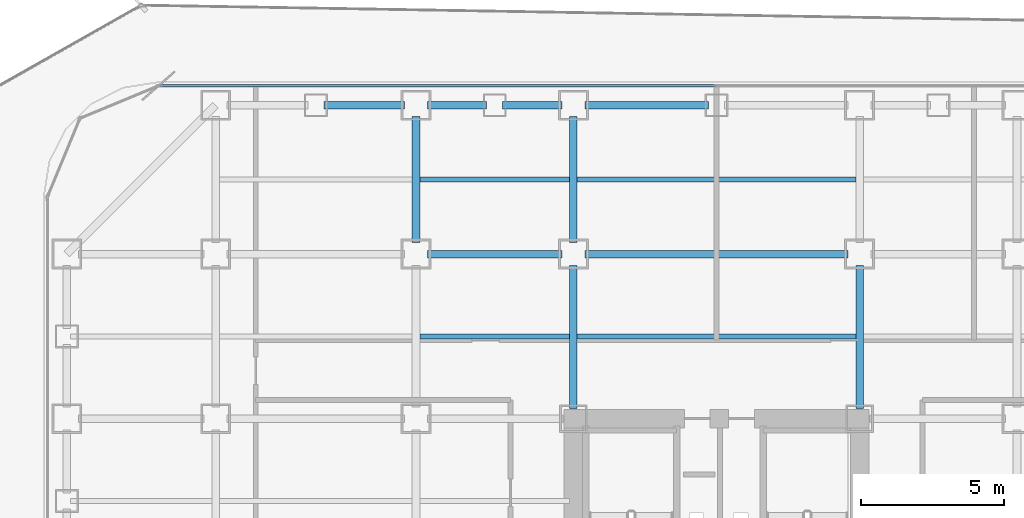
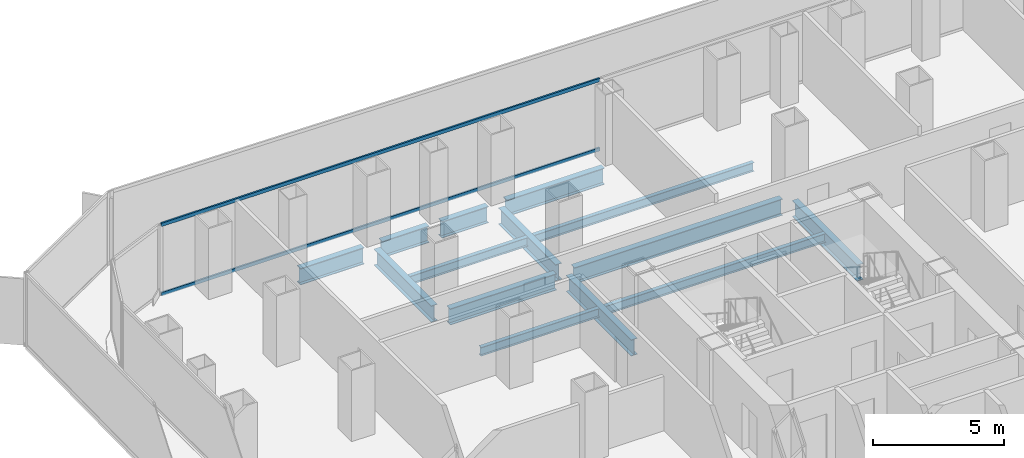
# One storey, part 12 of 21: 14 beams, 2 members, 1 element without a shape of its own.
"""IFC4 building model written with IfcOpenShell, lengths in metres."""

from ifc_helpers import new_model, si_unit, direction, frame, origin, origin_2d, place, context, subcontext, project, spatial, hollow_rectangle, i_section, extrude, source, transform, mapped, material, layer, layer_set, material_profile, profile_set, type_object, element, aggregate, save


model = new_model("IFC4")

# Units and contexts
model_context = context("Model", 3, precision=1e-05, world=origin(), true_north=direction((0.0, 1.0)))
body_context = subcontext(model_context, "Body", "Model", "MODEL_VIEW")
ifc_project = project(units=[si_unit("LENGTHUNIT", "METRE"), si_unit("AREAUNIT", "SQUARE_METRE"), si_unit("VOLUMEUNIT", "CUBIC_METRE"), si_unit("PLANEANGLEUNIT", "RADIAN"), si_unit("MASSUNIT", "GRAM", prefix="KILO")], contexts=[model_context])

# Site, building, storey
site_placement = place(None, origin())
site = spatial("IfcSite", under=ifc_project, at=site_placement, CompositionType="ELEMENT")
building_placement = place(site_placement, origin())
building = spatial("IfcBuilding", under=site, at=building_placement, Name="Kolveth Station Tower", CompositionType="ELEMENT")
storey_placement = place(building_placement, frame((0.0, 0.0, 40.5)))
storey = spatial("IfcBuildingStorey", under=building, at=storey_placement, Name="L10", CompositionType="ELEMENT", Elevation=40.5)

# Beams
ifc_material_1 = material(Name="Steel S355", Category="steel")
ifc_material_profile_1 = material_profile(ifc_material_1, i_section(OverallWidth=0.26904296875, OverallDepth=0.77490234375, WebThickness=0.01708984375, FlangeThickness=0.0283203125, at=origin_2d()), Name="W760x220")
ifc_profile_set_1 = profile_set([ifc_material_profile_1], Name="Steel S355")
beam_type_1 = type_object("IfcBeamType", Name="Beam_SP1", PredefinedType="SPANDREL", material=ifc_profile_set_1)
shared_shape_1 = source(origin(), body_context, "Body", "SweptSolid", [
    extrude(i_section(OverallWidth=0.26904296875, OverallDepth=0.77490234375, WebThickness=0.01708984375, FlangeThickness=0.0283203125, at=origin_2d()), origin(), (0.0, 0.0, 1.0), 2.820068359375),
])
beam_1_placement = place(storey_placement, frame((9.780029296875, 39.699951171875, -0.66748046875), z_axis=(1.0, 0.0, 0.0), x_axis=(0.0, 1.0, 0.0)))
element("IfcBeam", 1, at=beam_1_placement, inside=storey, type_object=beam_type_1, Name="L10 Perimeter Spandrel BM-L10-PN-2", PredefinedType="SPANDREL", context=body_context, shape_type="MappedRepresentation", body=[
    mapped(shared_shape_1, transform((0.0, 0.0, 0.0), x_axis=(1.0, 0.0, 0.0), y_axis=(0.0, 1.0, 0.0), z_axis=(0.0, 0.0, 1.0), scale=1.0)),
])
shared_shape_2 = source(origin(), body_context, "Body", "SweptSolid", [
    extrude(i_section(OverallWidth=0.26904296875, OverallDepth=0.77490234375, WebThickness=0.01708984375, FlangeThickness=0.0283203125, at=origin_2d()), origin(), (0.0, 0.0, 1.0), 2.070068359375),
])
for number, where, z_axis, x_axis, name in (
    (2, (13.39990234375, 39.699951171875, -0.66748046875), (1.0, 0.0, 0.0), (0.0, 1.0, 0.0), "L10 Perimeter Spandrel BM-L10-PN-3"),
    (3, (16.030029296875, 39.699951171875, -0.66748046875), (1.0, 0.0, 0.0), (0.0, 1.0, 0.0), "L10 Perimeter Spandrel BM-L10-PN-4"),
):
    element("IfcBeam", number, at=place(storey_placement, frame(where, z_axis=z_axis, x_axis=x_axis)), inside=storey, type_object=beam_type_1, Name=name, PredefinedType="SPANDREL", context=body_context, shape_type="MappedRepresentation", body=[
        mapped(shared_shape_2, transform((0.0, 0.0, 0.0), x_axis=(1.0, 0.0, 0.0), y_axis=(0.0, 1.0, 0.0), z_axis=(0.0, 0.0, 1.0), scale=1.0)),
    ])
shared_shape_3 = source(origin(), body_context, "Body", "SweptSolid", [
    extrude(i_section(OverallWidth=0.26904296875, OverallDepth=0.77490234375, WebThickness=0.01708984375, FlangeThickness=0.0283203125, at=origin_2d()), origin(), (0.0, 0.0, 1.0), 4.320068359375),
])
beam_2_placement = place(storey_placement, frame((18.89990234375, 39.699951171875, -0.66748046875), z_axis=(1.0, 0.0, 0.0), x_axis=(0.0, 1.0, 0.0)))
element("IfcBeam", 4, at=beam_2_placement, inside=storey, type_object=beam_type_1, Name="L10 Perimeter Spandrel BM-L10-PN-5", PredefinedType="SPANDREL", context=body_context, shape_type="MappedRepresentation", body=[
    mapped(shared_shape_3, transform((0.0, 0.0, 0.0), x_axis=(1.0, 0.0, 0.0), y_axis=(0.0, 1.0, 0.0), z_axis=(0.0, 0.0, 1.0), scale=1.0)),
])
ifc_material_profile_2 = material_profile(ifc_material_1, i_section(OverallWidth=0.26708984375, OverallDepth=0.76611328125, WebThickness=0.014892578125, FlangeThickness=0.023681640625, at=origin_2d()), Name="W760x185")
ifc_profile_set_2 = profile_set([ifc_material_profile_2], Name="Steel S355")
beam_type_2 = type_object("IfcBeamType", Name="Beam_B3", PredefinedType="BEAM", material=ifc_profile_set_2)
shared_shape_4 = source(origin(), body_context, "Body", "SweptSolid", [
    extrude(i_section(OverallWidth=0.26708984375, OverallDepth=0.76611328125, WebThickness=0.014892578125, FlangeThickness=0.023681640625, at=origin_2d()), origin(), (0.0, 0.0, 1.0), 4.400146484375),
])
for number, where, z_axis, x_axis, name in (
    (5, (13.0, 34.89990234375, -0.6630859375), (0.0, 1.0, 0.0), (-1.0, 0.0, 0.0), "L10 Primary Girder BM-L10-GX130-7"),
    (6, (18.5, 34.89990234375, -0.6630859375), (0.0, 1.0, 0.0), (-1.0, 0.0, 0.0), "L10 Primary Girder BM-L10-GX185-7"),
):
    element("IfcBeam", number, at=place(storey_placement, frame(where, z_axis=z_axis, x_axis=x_axis)), inside=storey, type_object=beam_type_2, Name=name, PredefinedType="BEAM", context=body_context, shape_type="MappedRepresentation", body=[
        mapped(shared_shape_4, transform((0.0, 0.0, 0.0), x_axis=(1.0, 0.0, 0.0), y_axis=(0.0, 1.0, 0.0), z_axis=(0.0, 0.0, 1.0), scale=1.0)),
    ])
shared_shape_5 = source(origin(), body_context, "Body", "SweptSolid", [
    extrude(i_section(OverallWidth=0.26708984375, OverallDepth=0.76611328125, WebThickness=0.014892578125, FlangeThickness=0.023681640625, at=origin_2d()), origin(), (0.0, 0.0, 1.0), 4.7001953125),
])
beam_3_placement = place(storey_placement, frame((13.39990234375, 34.5, -0.6630859375), z_axis=(1.0, 0.0, 0.0), x_axis=(0.0, 1.0, 0.0)))
element("IfcBeam", 7, at=beam_3_placement, inside=storey, type_object=beam_type_2, Name="L10 Primary Girder BM-L10-GY345-3", PredefinedType="BEAM", context=body_context, shape_type="MappedRepresentation", body=[
    mapped(shared_shape_5, transform((0.0, 0.0, 0.0), x_axis=(1.0, 0.0, 0.0), y_axis=(0.0, 1.0, 0.0), z_axis=(0.0, 0.0, 1.0), scale=1.0)),
])
shared_shape_6 = source(origin(), body_context, "Body", "SweptSolid", [
    extrude(i_section(OverallWidth=0.26708984375, OverallDepth=0.76611328125, WebThickness=0.014892578125, FlangeThickness=0.023681640625, at=origin_2d()), origin(), (0.0, 0.0, 1.0), 9.2001953125),
])
beam_4_placement = place(storey_placement, frame((18.89990234375, 34.5, -0.6630859375), z_axis=(1.0, 0.0, 0.0), x_axis=(0.0, 1.0, 0.0)))
element("IfcBeam", 8, at=beam_4_placement, inside=storey, type_object=beam_type_2, Name="L10 Primary Girder BM-L10-GY345-4", PredefinedType="BEAM", context=body_context, shape_type="MappedRepresentation", body=[
    mapped(shared_shape_6, transform((0.0, 0.0, 0.0), x_axis=(1.0, 0.0, 0.0), y_axis=(0.0, 1.0, 0.0), z_axis=(0.0, 0.0, 1.0), scale=1.0)),
])
shared_shape_7 = source(origin(), body_context, "Body", "SweptSolid", [
    extrude(i_section(OverallWidth=0.26708984375, OverallDepth=0.76611328125, WebThickness=0.014892578125, FlangeThickness=0.023681640625, at=origin_2d()), origin(), (0.0, 0.0, 1.0), 4.989990234375),
])
for number, where, z_axis, x_axis, name in (
    (9, (18.5, 29.110107421875, -0.6630859375), (0.0, 1.0, 0.0), (-1.0, 0.0, 0.0), "L10 Primary Girder BM-L10-GX185-6"),
    (10, (28.5, 29.110107421875, -0.6630859375), (0.0, 1.0, 0.0), (-1.0, 0.0, 0.0), "L10 Primary Girder BM-L10-GX285-6"),
):
    element("IfcBeam", number, at=place(storey_placement, frame(where, z_axis=z_axis, x_axis=x_axis)), inside=storey, type_object=beam_type_2, Name=name, PredefinedType="BEAM", context=body_context, shape_type="MappedRepresentation", body=[
        mapped(shared_shape_7, transform((0.0, 0.0, 0.0), x_axis=(1.0, 0.0, 0.0), y_axis=(0.0, 1.0, 0.0), z_axis=(0.0, 0.0, 1.0), scale=1.0)),
    ])
ifc_material_profile_3 = material_profile(ifc_material_1, i_section(OverallWidth=0.177978515625, OverallDepth=0.406982421875, WebThickness=0.0078125, FlangeThickness=0.0126953125, at=origin_2d()), Name="W410x60")
ifc_profile_set_3 = profile_set([ifc_material_profile_3], Name="Steel S355")
beam_type_3 = type_object("IfcBeamType", Name="Beam_J1", PredefinedType="JOIST", material=ifc_profile_set_3)
shared_shape_8 = source(origin(), body_context, "Body", "SweptSolid", [
    extrude(i_section(OverallWidth=0.177978515625, OverallDepth=0.406982421875, WebThickness=0.0078125, FlangeThickness=0.0126953125, at=origin_2d()), origin(), (0.0, 0.0, 1.0), 5.23681640625),
])
for number, where, z_axis, x_axis, name in (
    (11, (13.131591796875, 31.625, -0.4833984375), (1.0, 0.0, 0.0), (0.0, 1.0, 0.0), "L10 Secondary Joist JST-L10-3-6"),
    (12, (13.131591796875, 37.10009765625, -0.4833984375), (1.0, 0.0, 0.0), (0.0, 1.0, 0.0), "L10 Secondary Joist JST-L10-3-7"),
):
    element("IfcBeam", number, at=place(storey_placement, frame(where, z_axis=z_axis, x_axis=x_axis)), inside=storey, type_object=beam_type_3, Name=name, PredefinedType="JOIST", context=body_context, shape_type="MappedRepresentation", body=[
        mapped(shared_shape_8, transform((0.0, 0.0, 0.0), x_axis=(1.0, 0.0, 0.0), y_axis=(0.0, 1.0, 0.0), z_axis=(0.0, 0.0, 1.0), scale=1.0)),
    ])
shared_shape_9 = source(origin(), body_context, "Body", "SweptSolid", [
    extrude(i_section(OverallWidth=0.177978515625, OverallDepth=0.406982421875, WebThickness=0.0078125, FlangeThickness=0.0126953125, at=origin_2d()), origin(), (0.0, 0.0, 1.0), 9.73681640625),
])
for number, where, z_axis, x_axis, name in (
    (13, (18.631591796875, 31.625, -0.4833984375), (1.0, 0.0, 0.0), (0.0, 1.0, 0.0), "L10 Secondary Joist JST-L10-4-6"),
    (14, (18.631591796875, 37.10009765625, -0.4833984375), (1.0, 0.0, 0.0), (0.0, 1.0, 0.0), "L10 Secondary Joist JST-L10-4-7"),
):
    element("IfcBeam", number, at=place(storey_placement, frame(where, z_axis=z_axis, x_axis=x_axis)), inside=storey, type_object=beam_type_3, Name=name, PredefinedType="JOIST", context=body_context, shape_type="MappedRepresentation", body=[
        mapped(shared_shape_9, transform((0.0, 0.0, 0.0), x_axis=(1.0, 0.0, 0.0), y_axis=(0.0, 1.0, 0.0), z_axis=(0.0, 0.0, 1.0), scale=1.0)),
    ])

# Curtain wall, members
ifc_material_2 = material(Name="Aluminium 6063-T6 and low-E dark glass", Category="aluminium")
ifc_layer = layer(ifc_material_2, 0.179931640625)
ifc_layer_set = layer_set([ifc_layer], Name="Aluminium 6063-T6 and low-E dark glass")
curtain_wall_type = type_object("IfcCurtainWallType", Name="CurtainWall_CW-Z1", PredefinedType="NOTDEFINED", material=ifc_layer_set)
curtain_wall_placement = place(storey_placement, origin())
curtain_wall = element("IfcCurtainWall", 15, at=curtain_wall_placement, inside=storey, type_object=curtain_wall_type, Name="L10 Inner Thermal Curtain Wall 6", PredefinedType="NOTDEFINED")
ifc_material_3 = material(Name="Black anodized aluminium 6063-T6", Category="aluminium")
ifc_material_profile_4 = material_profile(ifc_material_3, hollow_rectangle(XDim=0.074951171875, YDim=0.159912109375, WallThickness=0.0048828125, at=origin_2d()), Name="ALU-75x160x5")
ifc_profile_set_4 = profile_set([ifc_material_profile_4], Name="Black anodized aluminium 6063-T6")
member_type = type_object("IfcMemberType", Name="Transom_TR1", PredefinedType="USERDEFINED", material=ifc_profile_set_4)
shared_shape_10 = source(origin(), body_context, "Body", "SweptSolid", [
    extrude(hollow_rectangle(XDim=0.074951171875, YDim=0.159912109375, WallThickness=0.0048828125, at=origin_2d()), origin(), (0.0, 0.0, 1.0), 19.387451171875),
])
member_1_placement = place(storey_placement, frame((23.46240234375, 40.3798828125, 0.03759765625), z_axis=(-1.0, 0.0, 0.0), x_axis=(0.0, -1.0, 0.0)))
member_1 = element("IfcMember", 16, at=member_1_placement, type_object=member_type, Name="CW-Z1 transom 2.1", ObjectType="TRANSOM", PredefinedType="USERDEFINED", context=body_context, shape_type="MappedRepresentation", body=[
    mapped(shared_shape_10, transform((0.0, 0.0, 0.0), x_axis=(1.0, 0.0, 0.0), y_axis=(0.0, 1.0, 0.0), z_axis=(0.0, 0.0, 1.0), scale=1.0)),
])
member_2_placement = place(storey_placement, frame((23.46240234375, 40.3798828125, 3.282470703125), z_axis=(-1.0, 0.0, 0.0), x_axis=(0.0, -1.0, 0.0)))
member_2 = element("IfcMember", 17, at=member_2_placement, type_object=member_type, Name="CW-Z1 transom 2.2", ObjectType="TRANSOM", PredefinedType="USERDEFINED", context=body_context, shape_type="MappedRepresentation", body=[
    mapped(shared_shape_10, transform((0.0, 0.0, 0.0), x_axis=(1.0, 0.0, 0.0), y_axis=(0.0, 1.0, 0.0), z_axis=(0.0, 0.0, 1.0), scale=1.0)),
])
aggregate(curtain_wall, [member_1, member_2])

save(model, "model.ifc")
